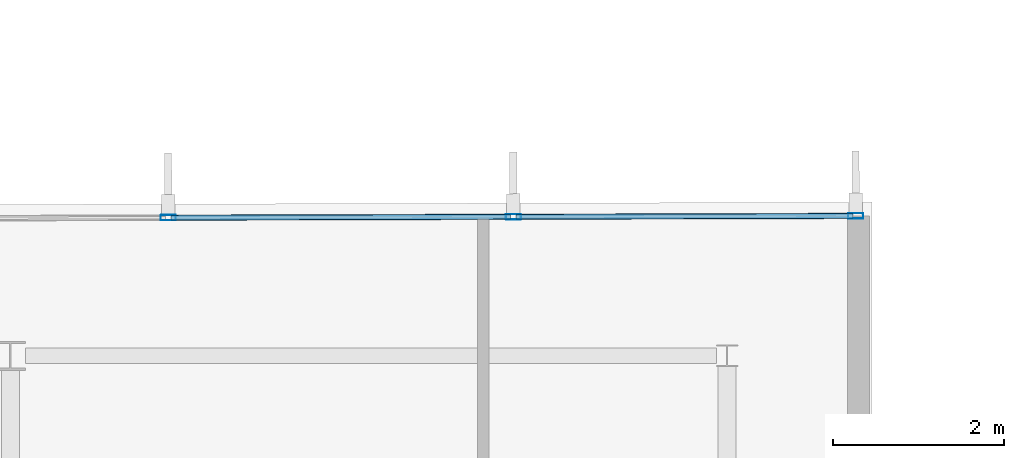
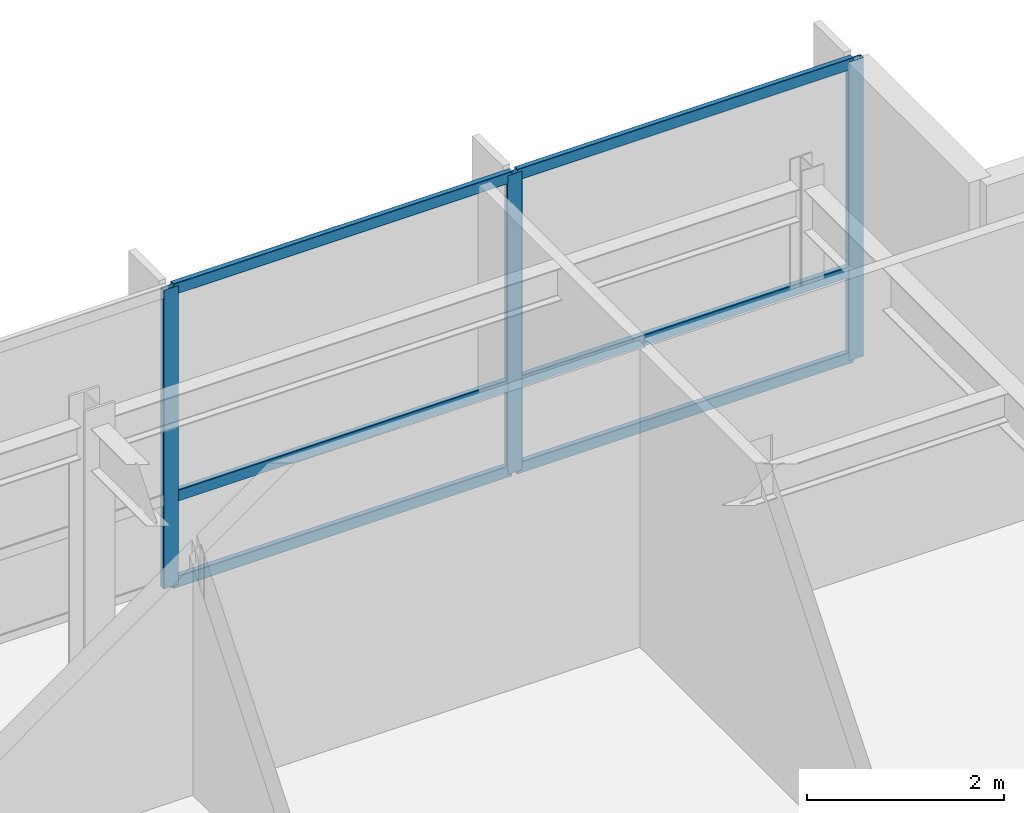
# One storey, part 8 of 15: 9 members, 1 element without a shape of its own.
"""IFC4 building model written with IfcOpenShell, lengths in metres."""

from ifc_helpers import new_model, si_unit, direction, frame, origin, origin_2d, place, context, subcontext, project, spatial, hollow_rectangle, extrude, material, layer, layer_set, material_profile, profile_set, type_object, element, aggregate, save


model = new_model("IFC4")

# Units and contexts
model_context = context("Model", 3, precision=1e-05, world=origin(), true_north=direction((0.0, 1.0)))
body_context = subcontext(model_context, "Body", "Model", "MODEL_VIEW")
ifc_project = project(units=[si_unit("LENGTHUNIT", "METRE"), si_unit("AREAUNIT", "SQUARE_METRE"), si_unit("VOLUMEUNIT", "CUBIC_METRE"), si_unit("PLANEANGLEUNIT", "RADIAN"), si_unit("MASSUNIT", "GRAM", prefix="KILO")], contexts=[model_context])

# Site, building, storey
site_placement = place(None, origin())
site = spatial("IfcSite", under=ifc_project, at=site_placement, CompositionType="ELEMENT")
building_placement = place(site_placement, origin())
building = spatial("IfcBuilding", under=site, at=building_placement, Name="Varnakote Quay Hospital", CompositionType="ELEMENT")
storey_placement = place(building_placement, frame((0.0, 0.0, 252.60009765625)))
storey = spatial("IfcBuildingStorey", under=building, at=storey_placement, Name="L62", CompositionType="ELEMENT", Elevation=252.60009765625)

# Curtain wall, members
ifc_material_1 = material(Name="Anodised aluminium 6063-T6 Bronze", Category="aluminium")
ifc_layer = layer(ifc_material_1, 0.235107421875)
ifc_layer_set = layer_set([ifc_layer], Name="Anodised aluminium 6063-T6 Bronze")
curtain_wall_type = type_object("IfcCurtainWallType", Name="CW-SYS-5", PredefinedType="NOTDEFINED", material=ifc_layer_set)
curtain_wall_placement = place(storey_placement, origin())
curtain_wall = element("IfcCurtainWall", 1, at=curtain_wall_placement, inside=storey, type_object=curtain_wall_type, Name="L62 Unitised Bronze Curtain Wall 1", PredefinedType="NOTDEFINED")
ifc_material_2 = material(Name="Anodised aluminium 6063-T6 Bronze", Category="aluminium")
ifc_material_profile_1 = material_profile(ifc_material_2, hollow_rectangle(XDim=0.06494140625, YDim=0.179931640625, WallThickness=0.00390625, InnerFilletRadius=0.00390625, OuterFilletRadius=0.008056640625, at=origin_2d()), Name="CW-MULL-180x65")
ifc_profile_set_1 = profile_set([ifc_material_profile_1], Name="Anodised aluminium 6063-T6 Bronze")
member_type_1 = type_object("IfcMemberType", Name="CW-MULL-180x65", PredefinedType="MULLION", material=ifc_profile_set_1)
member_1_placement = place(storey_placement, frame((43.507568359375, 30.439453125, 0.0), z_axis=(0.0, 0.0, 1.0), x_axis=(0.002604222224, -0.999996609008, 0.0)))
member_1 = element("IfcMember", 2, at=member_1_placement, type_object=member_type_1, Name="-5-L62-1 mullion 1", PredefinedType="MULLION", context=body_context, shape_type="SweptSolid", body=[
    extrude(hollow_rectangle(XDim=0.06494140625, YDim=0.179931640625, WallThickness=0.00390625, InnerFilletRadius=0.00390625, OuterFilletRadius=0.008056640625, at=origin_2d()), origin(), (0.0, 0.0, 1.0), 3.7099609375),
])
member_2_placement = place(storey_placement, frame((39.495361328125, 30.428955078125, 0.0), z_axis=(0.0, 0.0, 1.0), x_axis=(0.002604222224, -0.999996609008, 0.0)))
member_2 = element("IfcMember", 3, at=member_2_placement, type_object=member_type_1, Name="-5-L62-1 mullion 2", PredefinedType="MULLION", context=body_context, shape_type="SweptSolid", body=[
    extrude(hollow_rectangle(XDim=0.06494140625, YDim=0.179931640625, WallThickness=0.00390625, InnerFilletRadius=0.00390625, OuterFilletRadius=0.008056640625, at=origin_2d()), origin(), (0.0, 0.0, 1.0), 3.7099609375),
])
member_3_placement = place(storey_placement, frame((35.45068359375, 30.41845703125, 0.0), z_axis=(0.0, 0.0, 1.0), x_axis=(0.002604222224, -0.999996609008, 0.0)))
member_3 = element("IfcMember", 4, at=member_3_placement, type_object=member_type_1, Name="-5-L62-1 mullion 3", PredefinedType="MULLION", context=body_context, shape_type="SweptSolid", body=[
    extrude(hollow_rectangle(XDim=0.06494140625, YDim=0.179931640625, WallThickness=0.00390625, InnerFilletRadius=0.00390625, OuterFilletRadius=0.008056640625, at=origin_2d()), origin(), (0.0, 0.0, 1.0), 3.7099609375),
])
ifc_material_3 = material(Name="Anodised aluminium 6063-T6 Bronze", Category="aluminium")
ifc_material_profile_2 = material_profile(ifc_material_3, hollow_rectangle(XDim=0.06494140625, YDim=0.139892578125, WallThickness=0.00390625, InnerFilletRadius=0.00390625, OuterFilletRadius=0.007568359375, at=origin_2d()), Name="CW-TRAN-140x65")
ifc_profile_set_2 = profile_set([ifc_material_profile_2], Name="Anodised aluminium 6063-T6 Bronze")
member_type_2 = type_object("IfcMemberType", Name="CW-TRAN-140x65", PredefinedType="USERDEFINED", material=ifc_profile_set_2)
member_4_placement = place(storey_placement, frame((43.47509765625, 30.439453125, 0.032470703125), z_axis=(-0.999996625932, -0.002597715134, 0.0), x_axis=(0.002597715134, -0.999996625932, 0.0)))
member_4 = element("IfcMember", 5, at=member_4_placement, type_object=member_type_2, Name="-5-L62-1 transom 1.1", ObjectType="TRANSOM", PredefinedType="USERDEFINED", context=body_context, shape_type="SweptSolid", body=[
    extrude(hollow_rectangle(XDim=0.06494140625, YDim=0.139892578125, WallThickness=0.00390625, InnerFilletRadius=0.00390625, OuterFilletRadius=0.007568359375, at=origin_2d()), origin(), (0.0, 0.0, 1.0), 3.947265625),
])
member_5_placement = place(storey_placement, frame((43.47509765625, 30.439453125, 1.099853515625), z_axis=(-0.999996625932, -0.002597715134, 0.0), x_axis=(0.002597715134, -0.999996625932, 0.0)))
member_5 = element("IfcMember", 6, at=member_5_placement, type_object=member_type_2, Name="-5-L62-1 transom 1.2", ObjectType="TRANSOM", PredefinedType="USERDEFINED", context=body_context, shape_type="SweptSolid", body=[
    extrude(hollow_rectangle(XDim=0.06494140625, YDim=0.139892578125, WallThickness=0.00390625, InnerFilletRadius=0.00390625, OuterFilletRadius=0.007568359375, at=origin_2d()), origin(), (0.0, 0.0, 1.0), 3.947265625),
])
member_6_placement = place(storey_placement, frame((43.47509765625, 30.439453125, 3.677490234375), z_axis=(-0.999996625932, -0.002597715134, 0.0), x_axis=(0.002597715134, -0.999996625932, 0.0)))
member_6 = element("IfcMember", 7, at=member_6_placement, type_object=member_type_2, Name="-5-L62-1 transom 1.3", ObjectType="TRANSOM", PredefinedType="USERDEFINED", context=body_context, shape_type="SweptSolid", body=[
    extrude(hollow_rectangle(XDim=0.06494140625, YDim=0.139892578125, WallThickness=0.00390625, InnerFilletRadius=0.00390625, OuterFilletRadius=0.007568359375, at=origin_2d()), origin(), (0.0, 0.0, 1.0), 3.947265625),
])
member_7_placement = place(storey_placement, frame((39.462890625, 30.428955078125, 0.032470703125), z_axis=(-0.999996680766, -0.002576520495, 0.0), x_axis=(0.002576520495, -0.999996680766, 0.0)))
member_7 = element("IfcMember", 8, at=member_7_placement, type_object=member_type_2, Name="-5-L62-1 transom 2.1", ObjectType="TRANSOM", PredefinedType="USERDEFINED", context=body_context, shape_type="SweptSolid", body=[
    extrude(hollow_rectangle(XDim=0.06494140625, YDim=0.139892578125, WallThickness=0.00390625, InnerFilletRadius=0.00390625, OuterFilletRadius=0.007568359375, at=origin_2d()), origin(), (0.0, 0.0, 1.0), 3.979736328125),
])
member_8_placement = place(storey_placement, frame((39.462890625, 30.428955078125, 1.099853515625), z_axis=(-0.999996680766, -0.002576520495, 0.0), x_axis=(0.002576520495, -0.999996680766, 0.0)))
member_8 = element("IfcMember", 9, at=member_8_placement, type_object=member_type_2, Name="-5-L62-1 transom 2.2", ObjectType="TRANSOM", PredefinedType="USERDEFINED", context=body_context, shape_type="SweptSolid", body=[
    extrude(hollow_rectangle(XDim=0.06494140625, YDim=0.139892578125, WallThickness=0.00390625, InnerFilletRadius=0.00390625, OuterFilletRadius=0.007568359375, at=origin_2d()), origin(), (0.0, 0.0, 1.0), 3.979736328125),
])
member_9_placement = place(storey_placement, frame((39.462890625, 30.428955078125, 3.677490234375), z_axis=(-0.999996680766, -0.002576520495, 0.0), x_axis=(0.002576520495, -0.999996680766, 0.0)))
member_9 = element("IfcMember", 10, at=member_9_placement, type_object=member_type_2, Name="-5-L62-1 transom 2.3", ObjectType="TRANSOM", PredefinedType="USERDEFINED", context=body_context, shape_type="SweptSolid", body=[
    extrude(hollow_rectangle(XDim=0.06494140625, YDim=0.139892578125, WallThickness=0.00390625, InnerFilletRadius=0.00390625, OuterFilletRadius=0.007568359375, at=origin_2d()), origin(), (0.0, 0.0, 1.0), 3.979736328125),
])
aggregate(curtain_wall, [member_1, member_2, member_3, member_4, member_5, member_6, member_7, member_8, member_9])

save(model, "model.ifc")
